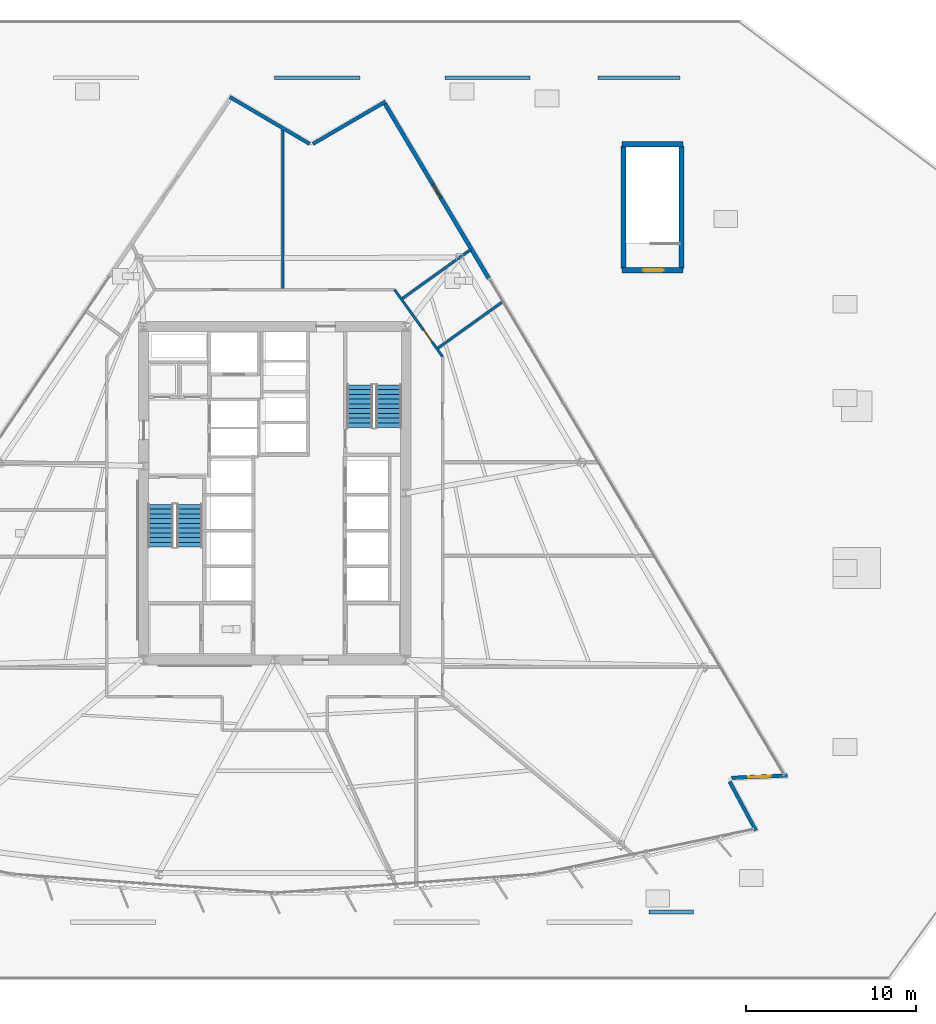
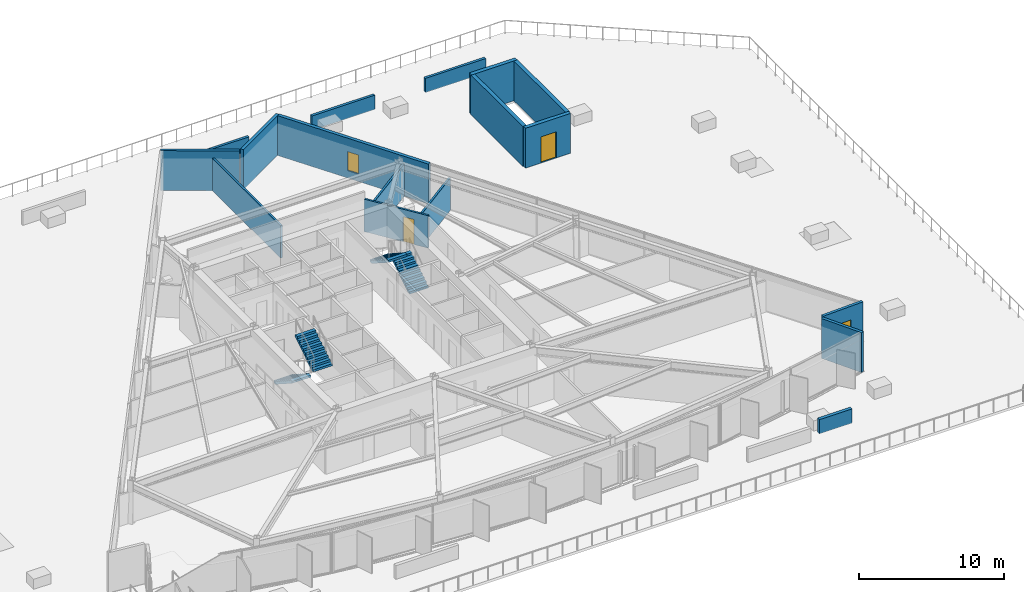
# One storey, part 10 of 19: 17 walls, 4 stair flights, 3 doors, 1 window, 4 openings, 2 elements without a shape of their own.
"""IFC4 building model written with IfcOpenShell, lengths in metres."""

from ifc_helpers import new_model, si_unit, direction, frame, frame_2d, origin, place, context, subcontext, project, spatial, polyline, rectangle, outline, extrude, material, layer, layer_set, type_object, element, fill, aggregate, save


model = new_model("IFC4")

# Units and contexts
model_context = context("Model", 3, precision=1e-05, world=origin(), true_north=direction((0.0, 1.0)))
body_context = subcontext(model_context, "Body", "Model", "MODEL_VIEW")
ifc_project = project(units=[si_unit("LENGTHUNIT", "METRE"), si_unit("AREAUNIT", "SQUARE_METRE"), si_unit("VOLUMEUNIT", "CUBIC_METRE"), si_unit("PLANEANGLEUNIT", "RADIAN"), si_unit("MASSUNIT", "GRAM", prefix="KILO")], contexts=[model_context])

# Site, building, storey
site_placement = place(None, origin())
site = spatial("IfcSite", under=ifc_project, at=site_placement, CompositionType="ELEMENT")
building_placement = place(site_placement, origin())
building = spatial("IfcBuilding", under=site, at=building_placement, Name="Savorim Split Tower", CompositionType="ELEMENT")
storey_placement = place(building_placement, frame((0.0, 0.0, 26.39990234375)))
storey = spatial("IfcBuildingStorey", under=building, at=storey_placement, Name="L06", CompositionType="ELEMENT", Elevation=26.39990234375)

# Wall
ifc_material_1 = material(Name="Precast concrete C40/50", Category="concrete")
ifc_layer_1 = layer(ifc_material_1, 0.219970703125)
ifc_layer_set_1 = layer_set([ifc_layer_1], Name="WAL-EXT-CRN220")
wall_type_1 = type_object("IfcWallType", Name="WAL-EXT-CRN220", PredefinedType="SOLIDWALL", material=ifc_layer_set_1)
wall_1_placement = place(storey_placement, frame((26.729248046875, -16.5400390625, 0.0), z_axis=(0.0, 0.0, 1.0), x_axis=(0.472830429959, -0.881153439819, 0.0)))
element("IfcWall", 1, at=wall_1_placement, inside=storey, type_object=wall_type_1, Name="L06 Notched Corner Facade Wall SE1", PredefinedType="SOLIDWALL", context=body_context, shape_type="SweptSolid", body=[
    extrude(rectangle(XDim=3.27001953125, YDim=0.219970703125, at=frame_2d((1.635009765625, 0.0))), origin(), (0.0, 0.0, 1.0), 3.35009765625),
])

# Wall, opening, door
wall_2_placement = place(storey_placement, frame((30.114990234375, -16.1875, 0.0), z_axis=(0.0, 0.0, 1.0), x_axis=(-0.999095638069, -0.042519477791, 0.0)))
wall_2 = element("IfcWall", 2, at=wall_2_placement, inside=storey, type_object=wall_type_1, Name="L06 Notched Corner Facade Wall SE", PredefinedType="SOLIDWALL", context=body_context, shape_type="SweptSolid", body=[
    extrude(rectangle(XDim=3.26708984375, YDim=0.219970703125, at=frame_2d((1.633544921875, 0.0))), origin(), (0.0, 0.0, 1.0), 3.35009765625),
])
opening_1_placement = place(wall_2_placement, frame((0.9833984375, 0.0, 0.0)))
opening_1 = element("IfcOpeningElement", 3, at=opening_1_placement, cuts=wall_2, Name="Opening DG-01", PredefinedType="OPENING", context=body_context, shape_type="SweptSolid", body=[
    extrude(rectangle(XDim=1.300048828125, YDim=2.199951171875, at=frame_2d((0.64990234375, 1.10009765625))), frame((0.0, 0.119873046875, 0.0), z_axis=(0.0, -1.0, 0.0), x_axis=(1.0, 0.0, 0.0)), (0.0, 0.0, 1.0), 0.239990234375),
])
ifc_material_2 = material(Name="Charcoal Anodised Aluminium", Category="aluminium")
door_type_1 = type_object("IfcDoorType", Name="DOR-GDN-1300", OperationType="NOTDEFINED", PredefinedType="DOOR", material=ifc_material_2)
door_1_placement = place(opening_1_placement, origin())
door_1 = element("IfcDoor", 4, at=door_1_placement, inside=storey, type_object=door_type_1, Name="DOR-L06-GDN-SE - L06 Raised Public Garden Access Door SE", OperationType="SINGLE_SWING_LEFT", OverallHeight=2.199951171875, OverallWidth=1.300048828125, PredefinedType="DOOR", context=body_context, shape_type="SweptSolid", body=[
    extrude(rectangle(XDim=1.300048828125, YDim=2.199951171875, at=frame_2d((0.64990234375, 1.10009765625))), frame((0.0, 0.02490234375, 0.0), z_axis=(0.0, -1.0, 0.0), x_axis=(1.0, 0.0, 0.0)), (0.0, 0.0, 1.0), 0.050048828125),
])
fill(opening_1, door_1)

# Walls
wall_3_placement = place(storey_placement, frame((2.2451171875, 20.9248046875, 0.0), z_axis=(0.0, 0.0, 1.0), x_axis=(0.863967641515, 0.503547330858, 0.0)))
element("IfcWall", 5, at=wall_3_placement, inside=storey, type_object=wall_type_1, Name="L06 Notched Corner Facade Wall NE1", PredefinedType="SOLIDWALL", context=body_context, shape_type="SweptSolid", body=[
    extrude(rectangle(XDim=4.924560546875, YDim=0.219970703125, at=frame_2d((2.46240234375, 0.0))), origin(), (0.0, 0.0, 1.0), 3.35009765625),
])
wall_4_placement = place(storey_placement, frame((-2.634765625, 23.681396484375, 0.0), z_axis=(0.0, 0.0, 1.0), x_axis=(0.862126841454, -0.506692519428, 0.0)))
element("IfcWall", 6, at=wall_4_placement, inside=storey, type_object=wall_type_1, Name="L06 Notched Corner Facade Wall N", PredefinedType="SOLIDWALL", context=body_context, shape_type="SweptSolid", body=[
    extrude(rectangle(XDim=5.439453125, YDim=0.219970703125, at=frame_2d((2.7197265625, 0.0))), origin(), (0.0, 0.0, 1.0), 3.35009765625),
])
ifc_material_3 = material(Name="Concrete C50/60", Category="concrete")
ifc_layer_2 = layer(ifc_material_3, 0.300048828125)
ifc_layer_set_2 = layer_set([ifc_layer_2], Name="WAL-EXT-POD300")
wall_type_2 = type_object("IfcWallType", Name="WAL-EXT-POD300", PredefinedType="SOLIDWALL", material=ifc_layer_set_2)
wall_5_placement = place(storey_placement, frame((20.5, 13.60009765625, 0.0), z_axis=(0.0, 0.0, 1.0), x_axis=(0.0, 1.0, 0.0)))
element("IfcWall", 7, at=wall_5_placement, inside=storey, type_object=wall_type_2, Name="L06 Stair ST-3 Garden Pavilion Wall W", PredefinedType="SOLIDWALL", context=body_context, shape_type="SweptSolid", body=[
    extrude(rectangle(XDim=7.199951171875, YDim=0.300048828125, at=frame_2d((3.60009765625, 0.0))), origin(), (0.0, 0.0, 1.0), 3.35009765625),
])

# Wall, opening, door
wall_6_placement = place(storey_placement, frame((24.0, 13.5, 0.0), z_axis=(0.0, 0.0, 1.0), x_axis=(-1.0, 0.0, 0.0)))
wall_6 = element("IfcWall", 8, at=wall_6_placement, inside=storey, type_object=wall_type_2, Name="L06 Stair ST-3 Garden Pavilion Wall S", PredefinedType="SOLIDWALL", context=body_context, shape_type="SweptSolid", body=[
    extrude(rectangle(XDim=3.60009765625, YDim=0.300048828125, at=frame_2d((1.800048828125, 0.0))), origin(), (0.0, 0.0, 1.0), 3.35009765625),
])
opening_2_placement = place(wall_6_placement, frame((1.14990234375, 0.0, 0.0)))
opening_2 = element("IfcOpeningElement", 9, at=opening_2_placement, cuts=wall_6, Name="Opening DE-03", PredefinedType="OPENING", context=body_context, shape_type="SweptSolid", body=[
    extrude(rectangle(XDim=1.199951171875, YDim=2.199951171875, at=frame_2d((0.60009765625, 1.10009765625))), frame((0.0, 0.159912109375, 0.0), z_axis=(0.0, -1.0, 0.0), x_axis=(1.0, 0.0, 0.0)), (0.0, 0.0, 1.0), 0.320068359375),
])
door_type_2 = type_object("IfcDoorType", Name="DOR-EXT-1200", OperationType="NOTDEFINED", PredefinedType="DOOR", material=ifc_material_2)
door_2_placement = place(opening_2_placement, origin())
door_2 = element("IfcDoor", 10, at=door_2_placement, inside=storey, type_object=door_type_2, Name="DOR-L06-ST3GDN - L06 Stair ST-3 Raised Garden Door", OperationType="SINGLE_SWING_LEFT", OverallHeight=2.199951171875, OverallWidth=1.199951171875, PredefinedType="DOOR", context=body_context, shape_type="SweptSolid", body=[
    extrude(rectangle(XDim=1.199951171875, YDim=2.199951171875, at=frame_2d((0.60009765625, 1.10009765625))), frame((0.0, 0.02490234375, 0.0), z_axis=(0.0, -1.0, 0.0), x_axis=(1.0, 0.0, 0.0)), (0.0, 0.0, 1.0), 0.050048828125),
])
fill(opening_2, door_2)

# Walls
wall_7_placement = place(storey_placement, frame((23.89990234375, 20.800048828125, 0.0), z_axis=(0.0, 0.0, 1.0), x_axis=(0.0, -1.0, 0.0)))
element("IfcWall", 11, at=wall_7_placement, inside=storey, type_object=wall_type_2, Name="L06 Stair ST-3 Garden Pavilion Wall E", PredefinedType="SOLIDWALL", context=body_context, shape_type="SweptSolid", body=[
    extrude(rectangle(XDim=7.199951171875, YDim=0.300048828125, at=frame_2d((3.60009765625, 0.0))), origin(), (0.0, 0.0, 1.0), 3.35009765625),
])
wall_8_placement = place(storey_placement, frame((20.39990234375, 20.89990234375, 0.0), z_axis=(0.0, 0.0, 1.0), x_axis=(1.0, 0.0, 0.0)))
element("IfcWall", 12, at=wall_8_placement, inside=storey, type_object=wall_type_2, Name="L06 Stair ST-3 Garden Pavilion Wall N", PredefinedType="SOLIDWALL", context=body_context, shape_type="SweptSolid", body=[
    extrude(rectangle(XDim=3.60009765625, YDim=0.300048828125, at=frame_2d((1.800048828125, 0.0))), origin(), (0.0, 0.0, 1.0), 3.35009765625),
])

# Wall, opening, window
ifc_layer_3 = layer(ifc_material_1, 0.25)
ifc_layer_set_3 = layer_set([ifc_layer_3], Name="WAL-EXT-SPN250")
wall_type_3 = type_object("IfcWallType", Name="WAL-EXT-SPN250", PredefinedType="SOLIDWALL", material=ifc_layer_set_3)
wall_9_placement = place(storey_placement, frame((6.483154296875, 23.278076171875, 0.0), z_axis=(0.0, 0.0, 1.0), x_axis=(0.511086421046, -0.859529330635, 0.0)))
wall_9 = element("IfcWall", 13, at=wall_9_placement, inside=storey, type_object=wall_type_3, Name="L06 East Operable Window Pier", PredefinedType="SOLIDWALL", context=body_context, shape_type="SweptSolid", body=[
    extrude(rectangle(XDim=11.93505859375, YDim=0.25, at=frame_2d((5.967529296875, 0.0))), origin(), (0.0, 0.0, 1.0), 3.35009765625),
])
opening_3_placement = place(wall_9_placement, frame((5.517578125, 0.0, 0.6201171875)))
opening_3 = element("IfcOpeningElement", 14, at=opening_3_placement, cuts=wall_9, Name="Opening WN-10", PredefinedType="OPENING", context=body_context, shape_type="SweptSolid", body=[
    extrude(rectangle(XDim=0.89990234375, YDim=1.60009765625, at=frame_2d((0.449951171875, 0.800048828125))), frame((0.0, 0.135009765625, 0.0), z_axis=(0.0, -1.0, 0.0), x_axis=(1.0, 0.0, 0.0)), (0.0, 0.0, 1.0), 0.27001953125),
])
ifc_material_4 = material(Name="Low-E Operable Double Glazing", Category="glass")
window_type = type_object("IfcWindowType", Name="WIN-TWR-900x1600", PartitioningType="SINGLE_PANEL", PredefinedType="WINDOW", material=ifc_material_4)
window_placement = place(opening_3_placement, origin())
window = element("IfcWindow", 15, at=window_placement, inside=storey, type_object=window_type, Name="L06 East Operable Ventilation Window", OverallHeight=1.60009765625, OverallWidth=0.89990234375, PartitioningType="SINGLE_PANEL", PredefinedType="WINDOW", context=body_context, shape_type="SweptSolid", body=[
    extrude(rectangle(XDim=0.89990234375, YDim=1.60009765625, at=frame_2d((0.449951171875, 0.800048828125))), frame((0.0, 0.030029296875, 0.0), z_axis=(0.0, -1.0, 0.0), x_axis=(1.0, 0.0, 0.0)), (0.0, 0.0, 1.0), 0.06005859375),
])
fill(opening_3, window)

# Wall, opening, door
ifc_material_5 = material(Name="Acoustic Gypsum Partition Board")
ifc_layer_4 = layer(ifc_material_5, 0.14990234375)
ifc_layer_set_4 = layer_set([ifc_layer_4], Name="WAL-PAR-150")
wall_type_4 = type_object("IfcWallType", Name="WAL-PAR-150", PredefinedType="PARTITIONING", material=ifc_layer_set_4)
wall_10_placement = place(storey_placement, frame((7.041015625, 12.360107421875, 0.0), z_axis=(0.0, 0.0, 1.0), x_axis=(0.582449511476, -0.812866881218, 0.0)))
wall_10 = element("IfcWall", 16, at=wall_10_placement, inside=storey, type_object=wall_type_4, Name="L06 Partition W-L06-COR-04", PredefinedType="PARTITIONING", context=body_context, shape_type="SweptSolid", body=[
    extrude(rectangle(XDim=4.840087890625, YDim=0.14990234375, at=frame_2d((2.419921875, 0.0))), origin(), (0.0, 0.0, 1.0), 2.72509765625),
])
opening_4_placement = place(wall_10_placement, frame((2.9365234375, 0.0, 0.0)))
opening_4 = element("IfcOpeningElement", 17, at=opening_4_placement, cuts=wall_10, Name="Opening DI-13", PredefinedType="OPENING", context=body_context, shape_type="SweptSolid", body=[
    extrude(rectangle(XDim=0.85009765625, YDim=2.10009765625, at=frame_2d((0.425048828125, 1.050048828125))), frame((0.0, 0.0849609375, 0.0), z_axis=(0.0, -1.0, 0.0), x_axis=(1.0, 0.0, 0.0)), (0.0, 0.0, 1.0), 0.169921875),
])
ifc_material_6 = material(Name="Timber Fire Door Leaf", Category="wood")
door_type_3 = type_object("IfcDoorType", Name="DOR-FIR-850", OperationType="NOTDEFINED", PredefinedType="DOOR", material=ifc_material_6)
door_3_placement = place(opening_4_placement, origin())
door_3 = element("IfcDoor", 18, at=door_3_placement, inside=storey, type_object=door_type_3, Name="DR-L06-RM10 - L06 Shared Bathroom Entry Door", OperationType="SINGLE_SWING_LEFT", OverallHeight=2.10009765625, OverallWidth=0.85009765625, PredefinedType="DOOR", context=body_context, shape_type="SweptSolid", body=[
    extrude(rectangle(XDim=0.85009765625, YDim=2.10009765625, at=frame_2d((0.425048828125, 1.050048828125))), frame((0.0, 0.02490234375, 0.0), z_axis=(0.0, -1.0, 0.0), x_axis=(1.0, 0.0, 0.0)), (0.0, 0.0, 1.0), 0.050048828125),
])
fill(opening_4, door_3)

# Walls
wall_11_placement = place(storey_placement, frame((7.493896484375, 11.830810546875, 0.0), z_axis=(0.0, 0.0, 1.0), x_axis=(0.812879401772, 0.582432037386, 0.0)))
element("IfcWall", 19, at=wall_11_placement, inside=storey, type_object=wall_type_4, Name="L06 Partition W-L06-PRAD07", PredefinedType="PARTITIONING", context=body_context, shape_type="SweptSolid", body=[
    extrude(rectangle(XDim=4.94970703125, YDim=0.14990234375, at=frame_2d((2.474853515625, 0.0))), origin(), (0.0, 0.0, 1.0), 2.72509765625),
])
wall_12_placement = place(storey_placement, frame((9.582275390625, 8.91650390625, 0.0), z_axis=(0.0, 0.0, 1.0), x_axis=(0.812883510428, 0.582426303041, 0.0)))
element("IfcWall", 20, at=wall_12_placement, inside=storey, type_object=wall_type_4, Name="L06 Partition W-L06-SUB04", PredefinedType="PARTITIONING", context=body_context, shape_type="SweptSolid", body=[
    extrude(rectangle(XDim=4.643310546875, YDim=0.14990234375, at=frame_2d((2.32177734375, 0.0))), origin(), (0.0, 0.0, 1.0), 2.735107421875),
])
wall_13_placement = place(storey_placement, frame((0.467529296875, 12.419921875, 0.0), z_axis=(0.0, 0.0, 1.0), x_axis=(0.0, 1.0, 0.0)))
element("IfcWall", 21, at=wall_13_placement, inside=storey, type_object=wall_type_4, Name="L06 Partition W-L06-SUB05", PredefinedType="PARTITIONING", context=body_context, shape_type="SweptSolid", body=[
    extrude(rectangle(XDim=9.380126953125, YDim=0.14990234375, at=frame_2d((4.68994140625, 0.0))), origin(), (0.0, 0.0, 1.0), 2.735107421875),
])
ifc_layer_5 = layer(ifc_material_3, 0.199951171875)
ifc_layer_set_5 = layer_set([ifc_layer_5], Name="WAL-PAR-UP200")
wall_type_5 = type_object("IfcWallType", Name="WAL-PAR-UP200", PredefinedType="PARAPET", material=ifc_layer_set_5)
for number, where, z_axis, x_axis, name in (
    (22, (0.0, 24.800048828125, -0.0498046875), (0.0, 0.0, 1.0), (1.0, 0.0, 0.0), "L06 Garden Terrace Planter Parapet 8"),
    (23, (10.0, 24.800048828125, -0.0498046875), (0.0, 0.0, 1.0), (1.0, 0.0, 0.0), "L06 Garden Terrace Planter Parapet 9"),
):
    element("IfcWall", number, at=place(storey_placement, frame(where, z_axis=z_axis, x_axis=x_axis)), inside=storey, type_object=wall_type_5, Name=name, PredefinedType="PARAPET", context=body_context, shape_type="SweptSolid", body=[
        extrude(rectangle(XDim=5.0, YDim=0.199951171875, at=frame_2d((2.5, 0.0))), origin(), (0.0, 0.0, 1.0), 1.199951171875),
    ])
wall_14_placement = place(storey_placement, frame((19.0, 24.800048828125, -0.0498046875), z_axis=(0.0, 0.0, 1.0), x_axis=(1.0, 0.0, 0.0)))
element("IfcWall", 24, at=wall_14_placement, inside=storey, type_object=wall_type_5, Name="L06 Garden Terrace Planter Parapet 10", PredefinedType="PARAPET", context=body_context, shape_type="SweptSolid", body=[
    extrude(rectangle(XDim=4.800048828125, YDim=0.199951171875, at=frame_2d((2.39990234375, 0.0))), origin(), (0.0, 0.0, 1.0), 1.199951171875),
])
ifc_layer_6 = layer(ifc_material_3, 0.25)
ifc_layer_set_6 = layer_set([ifc_layer_6], Name="WAL-PAR-UP250")
wall_type_6 = type_object("IfcWallType", Name="WAL-PAR-UP250", PredefinedType="PARAPET", material=ifc_layer_set_6)
wall_15_placement = place(storey_placement, frame((22.0, -24.199951171875, -0.0498046875), z_axis=(0.0, 0.0, 1.0), x_axis=(1.0, 0.0, 0.0)))
element("IfcWall", 25, at=wall_15_placement, inside=storey, type_object=wall_type_6, Name="L06 Garden Terrace Planter Parapet 5", PredefinedType="PARAPET", context=body_context, shape_type="SweptSolid", body=[
    extrude(rectangle(XDim=2.60009765625, YDim=0.25, at=frame_2d((1.300048828125, 0.0))), origin(), (0.0, 0.0, 1.0), 1.199951171875),
])

# Stair, stair flights
stair_type = type_object("IfcStairType", Name="STR-DOG-3600", PredefinedType="HALF_TURN_STAIR", material=ifc_material_3)
stair_1_placement = place(storey_placement, origin())
stair_1 = element("IfcStair", 26, at=stair_1_placement, inside=storey, type_object=stair_type, Name="L06 Core Protected Exit Stair ST-1", PredefinedType="HALF_TURN_STAIR")
stair_flight_type = type_object("IfcStairFlightType", Name="SFL-DOG-3600", PredefinedType="STRAIGHT", material=ifc_material_3)
stair_flight_1_placement = place(storey_placement, frame((-6.699951171875, -0.25, 0.0), z_axis=(0.0, 0.0, 1.0), x_axis=(0.0, -1.0, 0.0)))
stair_flight_1 = element("IfcStairFlight", 27, at=stair_flight_1_placement, type_object=stair_flight_type, Name="ST-1 flight 1", NumberOfRisers=10, NumberOfTreads=9, PredefinedType="STRAIGHT", RiserHeight=0.18, TreadLength=0.28, context=body_context, shape_type="SweptSolid", body=[
    extrude(outline(polyline([(0.0, 0.0), (0.0, 0.179931640625), (0.280029296875, 0.179931640625), (0.280029296875, 0.360107421875), (0.56005859375, 0.360107421875), (0.56005859375, 0.5400390625), (0.840087890625, 0.5400390625), (0.840087890625, 0.719970703125), (1.1201171875, 0.719970703125), (1.1201171875, 0.89990234375), (1.39990234375, 0.89990234375), (1.39990234375, 1.080078125), (1.679931640625, 1.080078125), (1.679931640625, 1.260009765625), (1.9599609375, 1.260009765625), (1.9599609375, 1.43994140625), (2.239990234375, 1.43994140625), (2.239990234375, 1.6201171875), (2.52001953125, 1.6201171875), (2.52001953125, 1.800048828125), (2.52001953125, 1.44189453125), (0.277099609375, 0.0), (0.0, 0.0)])), frame((0.0, 0.75, 0.0), z_axis=(0.0, -1.0, 0.0), x_axis=(1.0, 0.0, 0.0)), (0.0, 0.0, 1.0), 1.5),
])
stair_flight_2_placement = place(storey_placement, frame((-5.0, -2.77001953125, 1.800048828125), z_axis=(0.0, 0.0, 1.0), x_axis=(0.0, 1.0, 0.0)))
stair_flight_2 = element("IfcStairFlight", 28, at=stair_flight_2_placement, type_object=stair_flight_type, Name="ST-1 flight 2", NumberOfRisers=10, NumberOfTreads=9, PredefinedType="STRAIGHT", RiserHeight=0.18, TreadLength=0.28, context=body_context, shape_type="SweptSolid", body=[
    extrude(outline(polyline([(0.0, 0.0), (0.0, 0.179931640625), (0.280029296875, 0.179931640625), (0.280029296875, 0.360107421875), (0.56005859375, 0.360107421875), (0.56005859375, 0.5400390625), (0.840087890625, 0.5400390625), (0.840087890625, 0.719970703125), (1.1201171875, 0.719970703125), (1.1201171875, 0.89990234375), (1.39990234375, 0.89990234375), (1.39990234375, 1.080078125), (1.679931640625, 1.080078125), (1.679931640625, 1.260009765625), (1.9599609375, 1.260009765625), (1.9599609375, 1.43994140625), (2.239990234375, 1.43994140625), (2.239990234375, 1.6201171875), (2.52001953125, 1.6201171875), (2.52001953125, 1.800048828125), (2.52001953125, 1.44189453125), (0.277099609375, 0.0), (0.0, 0.0)])), frame((0.0, 0.75, 0.0), z_axis=(0.0, -1.0, 0.0), x_axis=(1.0, 0.0, 0.0)), (0.0, 0.0, 1.0), 1.5),
])
aggregate(stair_1, [stair_flight_1, stair_flight_2])

stair_2_placement = place(storey_placement, origin())
stair_2 = element("IfcStair", 29, at=stair_2_placement, inside=storey, type_object=stair_type, Name="L06 Core Protected Exit Stair ST-2", PredefinedType="HALF_TURN_STAIR")
stair_flight_3_placement = place(storey_placement, frame((6.699951171875, 4.25, 0.0), z_axis=(0.0, 0.0, 1.0), x_axis=(0.0, 1.0, 0.0)))
stair_flight_3 = element("IfcStairFlight", 30, at=stair_flight_3_placement, type_object=stair_flight_type, Name="ST-2 flight 1", NumberOfRisers=10, NumberOfTreads=9, PredefinedType="STRAIGHT", RiserHeight=0.18, TreadLength=0.28, context=body_context, shape_type="SweptSolid", body=[
    extrude(outline(polyline([(0.0, 0.0), (0.0, 0.179931640625), (0.280029296875, 0.179931640625), (0.280029296875, 0.360107421875), (0.56005859375, 0.360107421875), (0.56005859375, 0.5400390625), (0.840087890625, 0.5400390625), (0.840087890625, 0.719970703125), (1.1201171875, 0.719970703125), (1.1201171875, 0.89990234375), (1.39990234375, 0.89990234375), (1.39990234375, 1.080078125), (1.679931640625, 1.080078125), (1.679931640625, 1.260009765625), (1.9599609375, 1.260009765625), (1.9599609375, 1.43994140625), (2.239990234375, 1.43994140625), (2.239990234375, 1.6201171875), (2.52001953125, 1.6201171875), (2.52001953125, 1.800048828125), (2.52001953125, 1.44189453125), (0.277099609375, 0.0), (0.0, 0.0)])), frame((0.0, 0.75, 0.0), z_axis=(0.0, -1.0, 0.0), x_axis=(1.0, 0.0, 0.0)), (0.0, 0.0, 1.0), 1.5),
])
stair_flight_4_placement = place(storey_placement, frame((5.0, 6.77001953125, 1.800048828125), z_axis=(0.0, 0.0, 1.0), x_axis=(0.0, -1.0, 0.0)))
stair_flight_4 = element("IfcStairFlight", 31, at=stair_flight_4_placement, type_object=stair_flight_type, Name="ST-2 flight 2", NumberOfRisers=10, NumberOfTreads=9, PredefinedType="STRAIGHT", RiserHeight=0.18, TreadLength=0.28, context=body_context, shape_type="SweptSolid", body=[
    extrude(outline(polyline([(0.0, 0.0), (0.0, 0.179931640625), (0.280029296875, 0.179931640625), (0.280029296875, 0.360107421875), (0.56005859375, 0.360107421875), (0.56005859375, 0.5400390625), (0.840087890625, 0.5400390625), (0.840087890625, 0.719970703125), (1.1201171875, 0.719970703125), (1.1201171875, 0.89990234375), (1.39990234375, 0.89990234375), (1.39990234375, 1.080078125), (1.679931640625, 1.080078125), (1.679931640625, 1.260009765625), (1.9599609375, 1.260009765625), (1.9599609375, 1.43994140625), (2.239990234375, 1.43994140625), (2.239990234375, 1.6201171875), (2.52001953125, 1.6201171875), (2.52001953125, 1.800048828125), (2.52001953125, 1.44189453125), (0.277099609375, 0.0), (0.0, 0.0)])), frame((0.0, 0.75, 0.0), z_axis=(0.0, -1.0, 0.0), x_axis=(1.0, 0.0, 0.0)), (0.0, 0.0, 1.0), 1.5),
])
aggregate(stair_2, [stair_flight_3, stair_flight_4])

save(model, "model.ifc")
